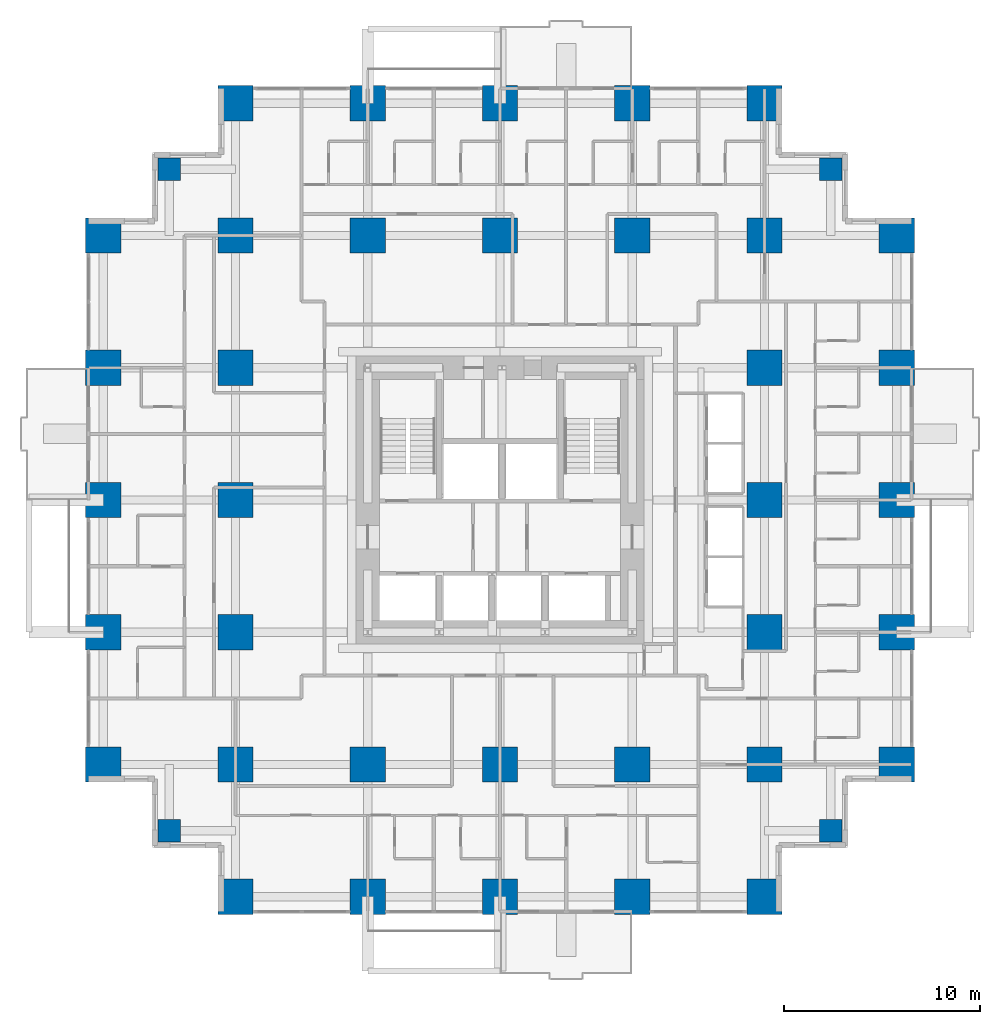
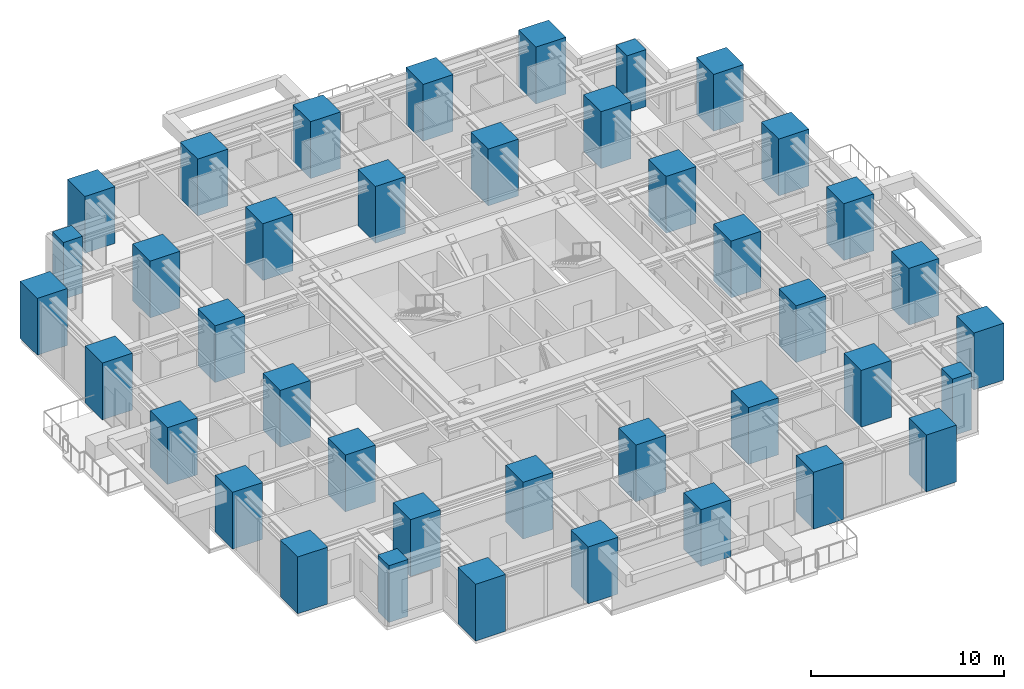
# One storey, part 1 of 14: 40 columns.
"""IFC4 building model written with IfcOpenShell, lengths in metres."""

from ifc_helpers import new_model, si_unit, direction, frame, origin, origin_2d, place, context, subcontext, project, spatial, rectangle, extrude, material, material_profile, profile_set, type_object, element, save


model = new_model("IFC4")

# Units and contexts
model_context = context("Model", 3, precision=1e-05, world=origin(), true_north=direction((0.0, 1.0)))
body_context = subcontext(model_context, "Body", "Model", "MODEL_VIEW")
ifc_project = project(units=[si_unit("LENGTHUNIT", "METRE"), si_unit("AREAUNIT", "SQUARE_METRE"), si_unit("VOLUMEUNIT", "CUBIC_METRE"), si_unit("PLANEANGLEUNIT", "RADIAN"), si_unit("MASSUNIT", "GRAM", prefix="KILO")], contexts=[model_context])

# Site, building, storey
site_placement = place(None, origin())
site = spatial("IfcSite", under=ifc_project, at=site_placement, CompositionType="ELEMENT")
building_placement = place(site_placement, origin())
building = spatial("IfcBuilding", under=site, at=building_placement, Name="Nyansa Garden Tower", CompositionType="ELEMENT")
storey_placement = place(building_placement, frame((0.0, 0.0, 57.60009765625)))
storey = spatial("IfcBuildingStorey", under=building, at=storey_placement, Name="L15", CompositionType="ELEMENT", Elevation=57.60009765625)

# Columns
ifc_material_1 = material(Name="Concrete C70/85", Category="concrete")
ifc_material_profile_1 = material_profile(ifc_material_1, rectangle(XDim=1.14990234375, YDim=1.14990234375, at=origin_2d()), Name="RC 1150x1150")
ifc_profile_set_1 = profile_set([ifc_material_profile_1], Name="Concrete C70/85")
column_type_1 = type_object("IfcColumnType", Name="Column C115 RC 1150x1150", PredefinedType="COLUMN", material=ifc_profile_set_1)
for number, where, z_axis, x_axis, name in (
    (1, (3.375, 3.375, 0.0), (0.0, 0.0, 1.0), (1.0, 0.0, 0.0), "Column x3.375/y3.375 L15"),
    (2, (3.375, 37.125, 0.0), (0.0, 0.0, 1.0), (1.0, 0.0, 0.0), "Column x3.375/y37.125 L15"),
    (3, (37.125, 3.375, 0.0), (0.0, 0.0, 1.0), (1.0, 0.0, 0.0), "Column x37.125/y3.375 L15"),
    (4, (37.125, 37.125, 0.0), (0.0, 0.0, 1.0), (1.0, 0.0, 0.0), "Column x37.125/y37.125 L15"),
):
    element("IfcColumn", number, at=place(storey_placement, frame(where, z_axis=z_axis, x_axis=x_axis)), inside=storey, type_object=column_type_1, Name=name, PredefinedType="COLUMN", context=body_context, shape_type="SweptSolid", body=[
        extrude(rectangle(XDim=1.14990234375, YDim=1.14990234375, at=origin_2d()), origin(), (0.0, 0.0, 1.0), 3.599853515625),
    ])
ifc_material_2 = material(Name="Concrete C80/95", Category="concrete")
ifc_material_profile_2 = material_profile(ifc_material_2, rectangle(XDim=1.800048828125, YDim=1.800048828125, at=origin_2d()), Name="RC 1800x1800")
ifc_profile_set_2 = profile_set([ifc_material_profile_2], Name="Concrete C80/95")
column_type_2 = type_object("IfcColumnType", Name="Column C180 RC 1800x1800", PredefinedType="COLUMN", material=ifc_profile_set_2)
for number, where, z_axis, x_axis, name in (
    (5, (0.0, 6.75, 0.0), (0.0, 0.0, 1.0), (1.0, 0.0, 0.0), "Column 2/E L15"),
    (6, (0.0, 13.5, 0.0), (0.0, 0.0, 1.0), (1.0, 0.0, 0.0), "Column 2/F L15"),
    (7, (0.0, 20.25, 0.0), (0.0, 0.0, 1.0), (1.0, 0.0, 0.0), "Column 2/G L15"),
    (8, (0.0, 27.0, 0.0), (0.0, 0.0, 1.0), (1.0, 0.0, 0.0), "Column 2/H L15"),
    (9, (0.0, 33.75, 0.0), (0.0, 0.0, 1.0), (1.0, 0.0, 0.0), "Column 2/J L15"),
    (10, (6.75, 0.0, 0.0), (0.0, 0.0, 1.0), (1.0, 0.0, 0.0), "Column 3/D L15"),
    (11, (6.75, 6.75, 0.0), (0.0, 0.0, 1.0), (1.0, 0.0, 0.0), "Column 3/E L15"),
    (12, (6.75, 13.5, 0.0), (0.0, 0.0, 1.0), (1.0, 0.0, 0.0), "Column 3/F L15"),
    (13, (6.75, 20.25, 0.0), (0.0, 0.0, 1.0), (1.0, 0.0, 0.0), "Column 3/G L15"),
    (14, (6.75, 27.0, 0.0), (0.0, 0.0, 1.0), (1.0, 0.0, 0.0), "Column 3/H L15"),
    (15, (6.75, 33.75, 0.0), (0.0, 0.0, 1.0), (1.0, 0.0, 0.0), "Column 3/J L15"),
    (16, (6.75, 40.5, 0.0), (0.0, 0.0, 1.0), (1.0, 0.0, 0.0), "Column 3/K L15"),
    (17, (13.5, 0.0, 0.0), (0.0, 0.0, 1.0), (1.0, 0.0, 0.0), "Column 4/D L15"),
    (18, (13.5, 6.75, 0.0), (0.0, 0.0, 1.0), (1.0, 0.0, 0.0), "Column 4/E L15"),
    (19, (13.5, 33.75, 0.0), (0.0, 0.0, 1.0), (1.0, 0.0, 0.0), "Column 4/J L15"),
    (20, (13.5, 40.5, 0.0), (0.0, 0.0, 1.0), (1.0, 0.0, 0.0), "Column 4/K L15"),
    (21, (20.25, 0.0, 0.0), (0.0, 0.0, 1.0), (1.0, 0.0, 0.0), "Column 5/D L15"),
    (22, (20.25, 6.75, 0.0), (0.0, 0.0, 1.0), (1.0, 0.0, 0.0), "Column 5/E L15"),
    (23, (20.25, 33.75, 0.0), (0.0, 0.0, 1.0), (1.0, 0.0, 0.0), "Column 5/J L15"),
    (24, (20.25, 40.5, 0.0), (0.0, 0.0, 1.0), (1.0, 0.0, 0.0), "Column 5/K L15"),
    (25, (27.0, 0.0, 0.0), (0.0, 0.0, 1.0), (1.0, 0.0, 0.0), "Column 6/D L15"),
    (26, (27.0, 6.75, 0.0), (0.0, 0.0, 1.0), (1.0, 0.0, 0.0), "Column 6/E L15"),
    (27, (27.0, 33.75, 0.0), (0.0, 0.0, 1.0), (1.0, 0.0, 0.0), "Column 6/J L15"),
    (28, (27.0, 40.5, 0.0), (0.0, 0.0, 1.0), (1.0, 0.0, 0.0), "Column 6/K L15"),
    (29, (33.75, 0.0, 0.0), (0.0, 0.0, 1.0), (1.0, 0.0, 0.0), "Column 7/D L15"),
    (30, (33.75, 6.75, 0.0), (0.0, 0.0, 1.0), (1.0, 0.0, 0.0), "Column 7/E L15"),
    (31, (33.75, 13.5, 0.0), (0.0, 0.0, 1.0), (1.0, 0.0, 0.0), "Column 7/F L15"),
    (32, (33.75, 20.25, 0.0), (0.0, 0.0, 1.0), (1.0, 0.0, 0.0), "Column 7/G L15"),
    (33, (33.75, 27.0, 0.0), (0.0, 0.0, 1.0), (1.0, 0.0, 0.0), "Column 7/H L15"),
    (34, (33.75, 33.75, 0.0), (0.0, 0.0, 1.0), (1.0, 0.0, 0.0), "Column 7/J L15"),
    (35, (33.75, 40.5, 0.0), (0.0, 0.0, 1.0), (1.0, 0.0, 0.0), "Column 7/K L15"),
    (36, (40.5, 6.75, 0.0), (0.0, 0.0, 1.0), (1.0, 0.0, 0.0), "Column 8/E L15"),
    (37, (40.5, 13.5, 0.0), (0.0, 0.0, 1.0), (1.0, 0.0, 0.0), "Column 8/F L15"),
    (38, (40.5, 20.25, 0.0), (0.0, 0.0, 1.0), (1.0, 0.0, 0.0), "Column 8/G L15"),
    (39, (40.5, 27.0, 0.0), (0.0, 0.0, 1.0), (1.0, 0.0, 0.0), "Column 8/H L15"),
    (40, (40.5, 33.75, 0.0), (0.0, 0.0, 1.0), (1.0, 0.0, 0.0), "Column 8/J L15"),
):
    element("IfcColumn", number, at=place(storey_placement, frame(where, z_axis=z_axis, x_axis=x_axis)), inside=storey, type_object=column_type_2, Name=name, PredefinedType="COLUMN", context=body_context, shape_type="SweptSolid", body=[
        extrude(rectangle(XDim=1.800048828125, YDim=1.800048828125, at=origin_2d()), origin(), (0.0, 0.0, 1.0), 3.599853515625),
    ])

save(model, "model.ifc")
